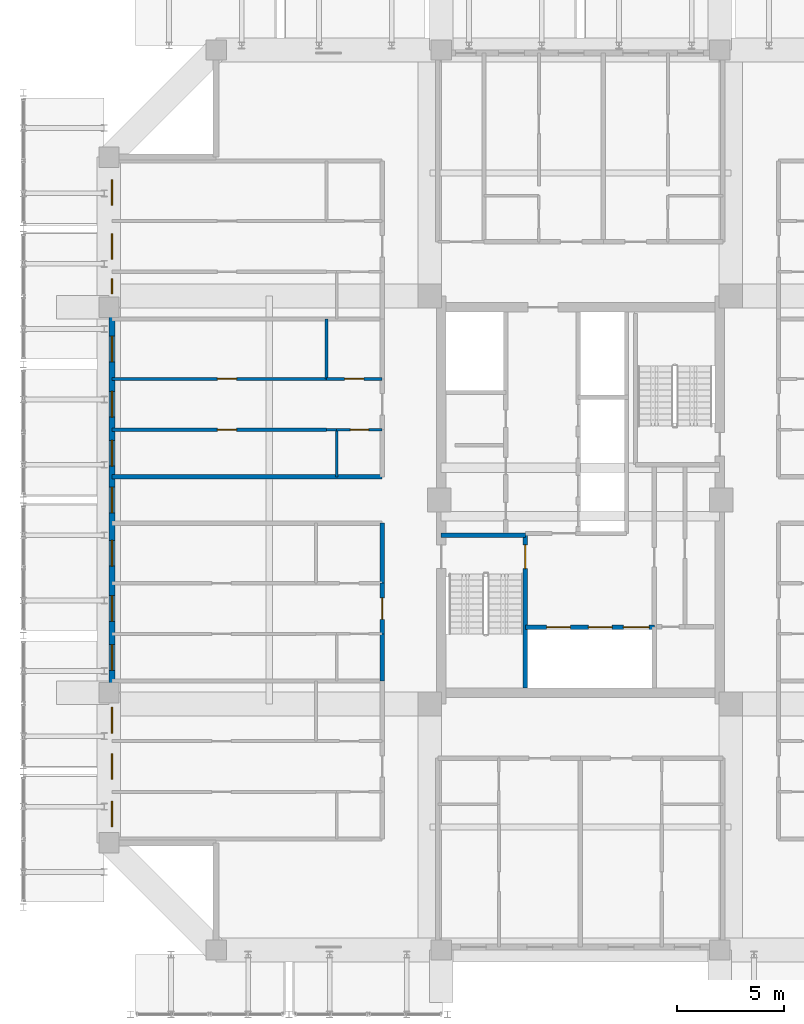
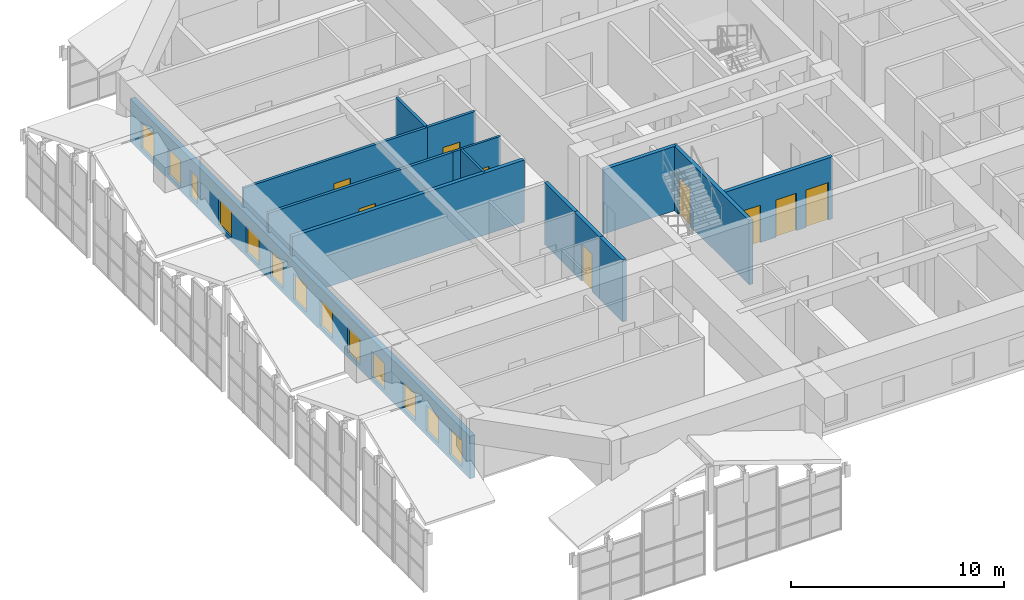
# One storey, part 38 of 45: 15 walls, 13 windows, 9 doors, 22 openings.
"""IFC4 building model written with IfcOpenShell, lengths in metres."""

from ifc_helpers import new_model, si_unit, direction, frame, frame_2d, origin, place, context, subcontext, project, spatial, rectangle, extrude, source, transform, mapped, material, layer, layer_set, type_object, element, fill, save


model = new_model("IFC4")

# Units and contexts
model_context = context("Model", 3, precision=1e-05, world=origin(), true_north=direction((0.0, 1.0)))
body_context = subcontext(model_context, "Body", "Model", "MODEL_VIEW")
ifc_project = project(units=[si_unit("LENGTHUNIT", "METRE"), si_unit("AREAUNIT", "SQUARE_METRE"), si_unit("VOLUMEUNIT", "CUBIC_METRE"), si_unit("PLANEANGLEUNIT", "RADIAN"), si_unit("MASSUNIT", "GRAM", prefix="KILO")], contexts=[model_context])

# Site, building, storey
site_placement = place(None, origin())
site = spatial("IfcSite", under=ifc_project, at=site_placement, CompositionType="ELEMENT")
building_placement = place(site_placement, origin())
building = spatial("IfcBuilding", under=site, at=building_placement, Name="Saelheon Loggia Tower", CompositionType="ELEMENT")
storey_placement = place(building_placement, frame((0.0, 0.0, 152.199951171875)))
storey = spatial("IfcBuildingStorey", under=building, at=storey_placement, Name="L48", CompositionType="ELEMENT", Elevation=152.199951171875)

# Wall, openings, windows
ifc_material_1 = material(Name="Architectural Precast Concrete C40/50", Category="concrete")
ifc_layer_1 = layer(ifc_material_1, 0.280029296875)
ifc_layer_set_1 = layer_set([ifc_layer_1], Name="Architectural Precast Concrete C40/50")
wall_type_1 = type_object("IfcWallType", Name="Wall_Ext_Loggia_280", PredefinedType="SOLIDWALL", material=ifc_layer_set_1)
wall_1_placement = place(storey_placement, frame((16.139892578125, 11.0, 0.0), z_axis=(0.0, 0.0, 1.0), x_axis=(0.0, 1.0, 0.0)))
wall_1 = element("IfcWall", 1, at=wall_1_placement, inside=storey, type_object=wall_type_1, Name="L48 West Loggia Inner Wall", PredefinedType="SOLIDWALL", context=body_context, shape_type="SweptSolid", body=[
    extrude(rectangle(XDim=32.0, YDim=0.280029296875, at=frame_2d((16.0, 0.0))), origin(), (0.0, 0.0, 1.0), 2.43994140625),
])
opening_1_placement = place(wall_1_placement, frame((0.74755859375, 0.0, 0.25)))
opening_1 = element("IfcOpeningElement", 2, at=opening_1_placement, cuts=wall_1, Name="Opening WN-03", PredefinedType="OPENING", context=body_context, shape_type="SweptSolid", body=[
    extrude(rectangle(XDim=1.199951171875, YDim=1.5, at=frame_2d((0.60009765625, 0.75))), frame((0.0, 0.152099609375, 0.0), z_axis=(0.0, -1.0, 0.0), x_axis=(1.0, 0.0, 0.0)), (0.0, 0.0, 1.0), 0.303955078125),
])
opening_2_placement = place(wall_1_placement, frame((2.964599609375, 0.0, 0.25)))
opening_2 = element("IfcOpeningElement", 3, at=opening_2_placement, cuts=wall_1, Name="Opening WN-03", PredefinedType="OPENING", context=body_context, shape_type="SweptSolid", body=[
    extrude(rectangle(XDim=1.199951171875, YDim=1.5, at=frame_2d((0.60009765625, 0.75))), frame((0.0, 0.152099609375, 0.0), z_axis=(0.0, -1.0, 0.0), x_axis=(1.0, 0.0, 0.0)), (0.0, 0.0, 1.0), 0.303955078125),
])
opening_3_placement = place(wall_1_placement, frame((5.1171875, 0.0, 0.25)))
opening_3 = element("IfcOpeningElement", 4, at=opening_3_placement, cuts=wall_1, Name="Opening WN-03", PredefinedType="OPENING", context=body_context, shape_type="SweptSolid", body=[
    extrude(rectangle(XDim=1.199951171875, YDim=1.5, at=frame_2d((0.60009765625, 0.75))), frame((0.0, 0.152099609375, 0.0), z_axis=(0.0, -1.0, 0.0), x_axis=(1.0, 0.0, 0.0)), (0.0, 0.0, 1.0), 0.303955078125),
])
opening_4_placement = place(wall_1_placement, frame((8.050048828125, 0.0, 0.25)))
opening_4 = element("IfcOpeningElement", 5, at=opening_4_placement, cuts=wall_1, Name="Opening WN-03", PredefinedType="OPENING", context=body_context, shape_type="SweptSolid", body=[
    extrude(rectangle(XDim=1.199951171875, YDim=1.5, at=frame_2d((0.60009765625, 0.75))), frame((0.0, 0.152099609375, 0.0), z_axis=(0.0, -1.0, 0.0), x_axis=(1.0, 0.0, 0.0)), (0.0, 0.0, 1.0), 0.303955078125),
])
opening_5_placement = place(wall_1_placement, frame((10.334716796875, 0.0, 0.25)))
opening_5 = element("IfcOpeningElement", 6, at=opening_5_placement, cuts=wall_1, Name="Opening WN-03", PredefinedType="OPENING", context=body_context, shape_type="SweptSolid", body=[
    extrude(rectangle(XDim=1.199951171875, YDim=1.5, at=frame_2d((0.60009765625, 0.75))), frame((0.0, 0.152099609375, 0.0), z_axis=(0.0, -1.0, 0.0), x_axis=(1.0, 0.0, 0.0)), (0.0, 0.0, 1.0), 0.303955078125),
])
opening_6_placement = place(wall_1_placement, frame((12.919677734375, 0.0, 0.25)))
opening_6 = element("IfcOpeningElement", 7, at=opening_6_placement, cuts=wall_1, Name="Opening WN-03", PredefinedType="OPENING", context=body_context, shape_type="SweptSolid", body=[
    extrude(rectangle(XDim=1.199951171875, YDim=1.5, at=frame_2d((0.60009765625, 0.75))), frame((0.0, 0.152099609375, 0.0), z_axis=(0.0, -1.0, 0.0), x_axis=(1.0, 0.0, 0.0)), (0.0, 0.0, 1.0), 0.303955078125),
])
opening_7_placement = place(wall_1_placement, frame((15.39990234375, 0.0, 0.25)))
opening_7 = element("IfcOpeningElement", 8, at=opening_7_placement, cuts=wall_1, Name="Opening WN-03", PredefinedType="OPENING", context=body_context, shape_type="SweptSolid", body=[
    extrude(rectangle(XDim=1.199951171875, YDim=1.5, at=frame_2d((0.60009765625, 0.75))), frame((0.0, 0.152099609375, 0.0), z_axis=(0.0, -1.0, 0.0), x_axis=(1.0, 0.0, 0.0)), (0.0, 0.0, 1.0), 0.303955078125),
])
opening_8_placement = place(wall_1_placement, frame((17.580078125, 0.0, 0.25)))
opening_8 = element("IfcOpeningElement", 9, at=opening_8_placement, cuts=wall_1, Name="Opening WN-03", PredefinedType="OPENING", context=body_context, shape_type="SweptSolid", body=[
    extrude(rectangle(XDim=1.199951171875, YDim=1.5, at=frame_2d((0.60009765625, 0.75))), frame((0.0, 0.152099609375, 0.0), z_axis=(0.0, -1.0, 0.0), x_axis=(1.0, 0.0, 0.0)), (0.0, 0.0, 1.0), 0.303955078125),
])
opening_9_placement = place(wall_1_placement, frame((19.86474609375, 0.0, 0.25)))
opening_9 = element("IfcOpeningElement", 10, at=opening_9_placement, cuts=wall_1, Name="Opening WN-03", PredefinedType="OPENING", context=body_context, shape_type="SweptSolid", body=[
    extrude(rectangle(XDim=1.199951171875, YDim=1.5, at=frame_2d((0.60009765625, 0.75))), frame((0.0, 0.152099609375, 0.0), z_axis=(0.0, -1.0, 0.0), x_axis=(1.0, 0.0, 0.0)), (0.0, 0.0, 1.0), 0.303955078125),
])
opening_10_placement = place(wall_1_placement, frame((22.44970703125, 0.0, 0.25)))
opening_10 = element("IfcOpeningElement", 11, at=opening_10_placement, cuts=wall_1, Name="Opening WN-03", PredefinedType="OPENING", context=body_context, shape_type="SweptSolid", body=[
    extrude(rectangle(XDim=1.199951171875, YDim=1.5, at=frame_2d((0.60009765625, 0.75))), frame((0.0, 0.152099609375, 0.0), z_axis=(0.0, -1.0, 0.0), x_axis=(1.0, 0.0, 0.0)), (0.0, 0.0, 1.0), 0.303955078125),
])
opening_11_placement = place(wall_1_placement, frame((25.632568359375, 0.0, 0.25)))
opening_11 = element("IfcOpeningElement", 12, at=opening_11_placement, cuts=wall_1, Name="Opening WN-06", PredefinedType="OPENING", context=body_context, shape_type="SweptSolid", body=[
    extrude(rectangle(XDim=0.699951171875, YDim=1.5, at=frame_2d((0.35009765625, 0.75))), frame((0.0, 0.152099609375, 0.0), z_axis=(0.0, -1.0, 0.0), x_axis=(1.0, 0.0, 0.0)), (0.0, 0.0, 1.0), 0.303955078125),
])
opening_12_placement = place(wall_1_placement, frame((27.234619140625, 0.0, 0.25)))
opening_12 = element("IfcOpeningElement", 13, at=opening_12_placement, cuts=wall_1, Name="Opening WN-03", PredefinedType="OPENING", context=body_context, shape_type="SweptSolid", body=[
    extrude(rectangle(XDim=1.199951171875, YDim=1.5, at=frame_2d((0.60009765625, 0.75))), frame((0.0, 0.152099609375, 0.0), z_axis=(0.0, -1.0, 0.0), x_axis=(1.0, 0.0, 0.0)), (0.0, 0.0, 1.0), 0.303955078125),
])
opening_13_placement = place(wall_1_placement, frame((29.752197265625, 0.0, 0.25)))
opening_13 = element("IfcOpeningElement", 14, at=opening_13_placement, cuts=wall_1, Name="Opening WN-03", PredefinedType="OPENING", context=body_context, shape_type="SweptSolid", body=[
    extrude(rectangle(XDim=1.199951171875, YDim=1.5, at=frame_2d((0.60009765625, 0.75))), frame((0.0, 0.152099609375, 0.0), z_axis=(0.0, -1.0, 0.0), x_axis=(1.0, 0.0, 0.0)), (0.0, 0.0, 1.0), 0.303955078125),
])
ifc_material_2 = material(Name="Thermal-Break Aluminium and Triple Low-E Glass", Category="aluminium")
window_type_1 = type_object("IfcWindowType", Name="Win_Slot_700x1500", PartitioningType="SINGLE_PANEL", PredefinedType="WINDOW", material=ifc_material_2)
shared_shape_1 = source(origin(), body_context, "Body", "SweptSolid", [
    extrude(rectangle(XDim=0.699951171875, YDim=1.5, at=frame_2d((0.35009765625, 0.75))), frame((0.0, 0.030029296875, 0.0), z_axis=(0.0, -1.0, 0.0), x_axis=(1.0, 0.0, 0.0)), (0.0, 0.0, 1.0), 0.06005859375),
])
window_1_placement = place(opening_11_placement, origin())
window_1 = element("IfcWindow", 15, at=window_1_placement, inside=storey, type_object=window_type_1, Name="L48 W Dwelling Window 11", OverallHeight=1.5, OverallWidth=0.699951171875, PartitioningType="SINGLE_PANEL", PredefinedType="WINDOW", context=body_context, shape_type="MappedRepresentation", body=[
    mapped(shared_shape_1, transform((0.0, 0.0, 0.0), scale=1.0)),
])
fill(opening_11, window_1)
window_type_2 = type_object("IfcWindowType", Name="Win_Bedroom_1200x1500", PartitioningType="SINGLE_PANEL", PredefinedType="WINDOW", material=ifc_material_2)
shared_shape_2 = source(origin(), body_context, "Body", "SweptSolid", [
    extrude(rectangle(XDim=1.199951171875, YDim=1.5, at=frame_2d((0.60009765625, 0.75))), frame((0.0, 0.030029296875, 0.0), z_axis=(0.0, -1.0, 0.0), x_axis=(1.0, 0.0, 0.0)), (0.0, 0.0, 1.0), 0.06005859375),
])
window_2_placement = place(opening_1_placement, origin())
window_2 = element("IfcWindow", 16, at=window_2_placement, inside=storey, type_object=window_type_2, Name="L48 W Dwelling Window 1", OverallHeight=1.5, OverallWidth=1.199951171875, PartitioningType="SINGLE_PANEL", PredefinedType="WINDOW", context=body_context, shape_type="MappedRepresentation", body=[
    mapped(shared_shape_2, transform((0.0, 0.0, 0.0), scale=1.0)),
])
fill(opening_1, window_2)
window_3_placement = place(opening_2_placement, origin())
window_3 = element("IfcWindow", 17, at=window_3_placement, inside=storey, type_object=window_type_2, Name="L48 W Dwelling Window 2", OverallHeight=1.5, OverallWidth=1.199951171875, PartitioningType="SINGLE_PANEL", PredefinedType="WINDOW", context=body_context, shape_type="MappedRepresentation", body=[
    mapped(shared_shape_2, transform((0.0, 0.0, 0.0), scale=1.0)),
])
fill(opening_2, window_3)
window_4_placement = place(opening_3_placement, origin())
window_4 = element("IfcWindow", 18, at=window_4_placement, inside=storey, type_object=window_type_2, Name="L48 W Dwelling Window 3", OverallHeight=1.5, OverallWidth=1.199951171875, PartitioningType="SINGLE_PANEL", PredefinedType="WINDOW", context=body_context, shape_type="MappedRepresentation", body=[
    mapped(shared_shape_2, transform((0.0, 0.0, 0.0), scale=1.0)),
])
fill(opening_3, window_4)
window_5_placement = place(opening_4_placement, origin())
window_5 = element("IfcWindow", 19, at=window_5_placement, inside=storey, type_object=window_type_2, Name="L48 W Dwelling Window 4", OverallHeight=1.5, OverallWidth=1.199951171875, PartitioningType="SINGLE_PANEL", PredefinedType="WINDOW", context=body_context, shape_type="MappedRepresentation", body=[
    mapped(shared_shape_2, transform((0.0, 0.0, 0.0), scale=1.0)),
])
fill(opening_4, window_5)
window_6_placement = place(opening_5_placement, origin())
window_6 = element("IfcWindow", 20, at=window_6_placement, inside=storey, type_object=window_type_2, Name="L48 W Dwelling Window 5", OverallHeight=1.5, OverallWidth=1.199951171875, PartitioningType="SINGLE_PANEL", PredefinedType="WINDOW", context=body_context, shape_type="MappedRepresentation", body=[
    mapped(shared_shape_2, transform((0.0, 0.0, 0.0), scale=1.0)),
])
fill(opening_5, window_6)
window_7_placement = place(opening_6_placement, origin())
window_7 = element("IfcWindow", 21, at=window_7_placement, inside=storey, type_object=window_type_2, Name="L48 W Dwelling Window 6", OverallHeight=1.5, OverallWidth=1.199951171875, PartitioningType="SINGLE_PANEL", PredefinedType="WINDOW", context=body_context, shape_type="MappedRepresentation", body=[
    mapped(shared_shape_2, transform((0.0, 0.0, 0.0), scale=1.0)),
])
fill(opening_6, window_7)
window_8_placement = place(opening_7_placement, origin())
window_8 = element("IfcWindow", 22, at=window_8_placement, inside=storey, type_object=window_type_2, Name="L48 W Dwelling Window 7", OverallHeight=1.5, OverallWidth=1.199951171875, PartitioningType="SINGLE_PANEL", PredefinedType="WINDOW", context=body_context, shape_type="MappedRepresentation", body=[
    mapped(shared_shape_2, transform((0.0, 0.0, 0.0), scale=1.0)),
])
fill(opening_7, window_8)
window_9_placement = place(opening_8_placement, origin())
window_9 = element("IfcWindow", 23, at=window_9_placement, inside=storey, type_object=window_type_2, Name="L48 W Dwelling Window 8", OverallHeight=1.5, OverallWidth=1.199951171875, PartitioningType="SINGLE_PANEL", PredefinedType="WINDOW", context=body_context, shape_type="MappedRepresentation", body=[
    mapped(shared_shape_2, transform((0.0, 0.0, 0.0), scale=1.0)),
])
fill(opening_8, window_9)
window_10_placement = place(opening_9_placement, origin())
window_10 = element("IfcWindow", 24, at=window_10_placement, inside=storey, type_object=window_type_2, Name="L48 W Dwelling Window 9", OverallHeight=1.5, OverallWidth=1.199951171875, PartitioningType="SINGLE_PANEL", PredefinedType="WINDOW", context=body_context, shape_type="MappedRepresentation", body=[
    mapped(shared_shape_2, transform((0.0, 0.0, 0.0), scale=1.0)),
])
fill(opening_9, window_10)
window_11_placement = place(opening_10_placement, origin())
window_11 = element("IfcWindow", 25, at=window_11_placement, inside=storey, type_object=window_type_2, Name="L48 W Dwelling Window 10", OverallHeight=1.5, OverallWidth=1.199951171875, PartitioningType="SINGLE_PANEL", PredefinedType="WINDOW", context=body_context, shape_type="MappedRepresentation", body=[
    mapped(shared_shape_2, transform((0.0, 0.0, 0.0), scale=1.0)),
])
fill(opening_10, window_11)
window_12_placement = place(opening_12_placement, origin())
window_12 = element("IfcWindow", 26, at=window_12_placement, inside=storey, type_object=window_type_2, Name="L48 W Dwelling Window 12", OverallHeight=1.5, OverallWidth=1.199951171875, PartitioningType="SINGLE_PANEL", PredefinedType="WINDOW", context=body_context, shape_type="MappedRepresentation", body=[
    mapped(shared_shape_2, transform((0.0, 0.0, 0.0), scale=1.0)),
])
fill(opening_12, window_12)
window_13_placement = place(opening_13_placement, origin())
window_13 = element("IfcWindow", 27, at=window_13_placement, inside=storey, type_object=window_type_2, Name="L48 W Dwelling Window 13", OverallHeight=1.5, OverallWidth=1.199951171875, PartitioningType="SINGLE_PANEL", PredefinedType="WINDOW", context=body_context, shape_type="MappedRepresentation", body=[
    mapped(shared_shape_2, transform((0.0, 0.0, 0.0), scale=1.0)),
])
fill(opening_13, window_13)

# Wall
ifc_material_3 = material(Name="Lightweight Autoclaved Aerated Concrete Block and Acoustic Gypsum", Category="concrete")
ifc_layer_2 = layer(ifc_material_3, 0.14990234375)
ifc_layer_set_2 = layer_set([ifc_layer_2], Name="Lightweight Autoclaved Aerated Concrete Block and Acoustic Gypsum")
wall_type_2 = type_object("IfcWallType", Name="Wall_Part_150", PredefinedType="PARTITIONING", material=ifc_layer_set_2)
wall_2_placement = place(storey_placement, frame((26.14990234375, 32.6494140625, 0.0), z_axis=(0.0, 0.0, 1.0), x_axis=(0.0, 1.0, 0.0)))
element("IfcWall", 28, at=wall_2_placement, inside=storey, type_object=wall_type_2, Name="L48 WN Partition V07", PredefinedType="PARTITIONING", context=body_context, shape_type="SweptSolid", body=[
    extrude(rectangle(XDim=2.800537109375, YDim=0.14990234375, at=frame_2d((1.400390625, 0.0))), origin(), (0.0, 0.0, 1.0), 3.56005859375),
])

# Wall, opening, door
wall_3_placement = place(storey_placement, frame((26.14990234375, 30.280029296875, 0.0), z_axis=(0.0, 0.0, 1.0), x_axis=(-1.0, 0.0, 0.0)))
wall_3 = element("IfcWall", 29, at=wall_3_placement, inside=storey, type_object=wall_type_2, Name="L48 WN Partition U10", PredefinedType="PARTITIONING", context=body_context, shape_type="SweptSolid", body=[
    extrude(rectangle(XDim=10.0, YDim=0.14990234375, at=frame_2d((5.0, 0.0))), origin(), (0.0, 0.0, 1.0), 3.56005859375),
])
opening_14_placement = place(wall_3_placement, frame((4.19091796875, 0.0, 0.0)))
opening_14 = element("IfcOpeningElement", 30, at=opening_14_placement, cuts=wall_3, Name="Opening D-IN2", PredefinedType="OPENING", context=body_context, shape_type="SweptSolid", body=[
    extrude(rectangle(XDim=0.89990234375, YDim=2.10009765625, at=frame_2d((0.449951171875, 1.050048828125))), frame((0.0, 0.0869140625, 0.0), z_axis=(0.0, -1.0, 0.0), x_axis=(1.0, 0.0, 0.0)), (0.0, 0.0, 1.0), 0.173828125),
])
ifc_material_4 = material(Name="Engineered Oak Flush Door", Category="timber")
door_type_1 = type_object("IfcDoorType", Name="Door_Int_900", OperationType="NOTDEFINED", PredefinedType="DOOR", material=ifc_material_4)
shared_shape_3 = source(origin(), body_context, "Body", "SweptSolid", [
    extrude(rectangle(XDim=0.89990234375, YDim=2.10009765625, at=frame_2d((0.449951171875, 1.050048828125))), frame((0.0, 0.02490234375, 0.0), z_axis=(0.0, -1.0, 0.0), x_axis=(1.0, 0.0, 0.0)), (0.0, 0.0, 1.0), 0.050048828125),
])
door_1_placement = place(opening_14_placement, origin())
door_1 = element("IfcDoor", 31, at=door_1_placement, inside=storey, type_object=door_type_1, Name="Unit U07 Kitchen Door", OperationType="SINGLE_SWING_RIGHT", OverallHeight=2.10009765625, OverallWidth=0.89990234375, PredefinedType="DOOR", context=body_context, shape_type="MappedRepresentation", body=[
    mapped(shared_shape_3, transform((0.0, 0.0, 0.0), scale=1.0)),
])
fill(opening_14, door_1)

wall_4_placement = place(storey_placement, frame((28.75, 32.6494140625, 0.0), z_axis=(0.0, 0.0, 1.0), x_axis=(-1.0, 0.0, 0.0)))
wall_4 = element("IfcWall", 32, at=wall_4_placement, inside=storey, type_object=wall_type_2, Name="L48 WN Partition U11", PredefinedType="PARTITIONING", context=body_context, shape_type="SweptSolid", body=[
    extrude(rectangle(XDim=2.60009765625, YDim=0.14990234375, at=frame_2d((1.300048828125, 0.0))), origin(), (0.0, 0.0, 1.0), 3.56005859375),
])
opening_15_placement = place(wall_4_placement, frame((0.85009765625, 0.0, 0.0)))
opening_15 = element("IfcOpeningElement", 33, at=opening_15_placement, cuts=wall_4, Name="Opening D-IN2", PredefinedType="OPENING", context=body_context, shape_type="SweptSolid", body=[
    extrude(rectangle(XDim=0.89990234375, YDim=2.10009765625, at=frame_2d((0.449951171875, 1.050048828125))), frame((0.0, 0.0869140625, 0.0), z_axis=(0.0, -1.0, 0.0), x_axis=(1.0, 0.0, 0.0)), (0.0, 0.0, 1.0), 0.173828125),
])
door_2_placement = place(opening_15_placement, origin())
door_2 = element("IfcDoor", 34, at=door_2_placement, inside=storey, type_object=door_type_1, Name="Unit U07 Dressing Closet Door", OperationType="SINGLE_SWING_LEFT", OverallHeight=2.10009765625, OverallWidth=0.89990234375, PredefinedType="DOOR", context=body_context, shape_type="MappedRepresentation", body=[
    mapped(shared_shape_3, transform((0.0, 0.0, 0.0), scale=1.0)),
])
fill(opening_15, door_2)

wall_5_placement = place(storey_placement, frame((26.14990234375, 32.6494140625, 0.0), z_axis=(0.0, 0.0, 1.0), x_axis=(-1.0, 0.0, 0.0)))
wall_5 = element("IfcWall", 35, at=wall_5_placement, inside=storey, type_object=wall_type_2, Name="L48 WN Partition U12", PredefinedType="PARTITIONING", context=body_context, shape_type="SweptSolid", body=[
    extrude(rectangle(XDim=10.0, YDim=0.14990234375, at=frame_2d((5.0, 0.0))), origin(), (0.0, 0.0, 1.0), 3.56005859375),
])
opening_16_placement = place(wall_5_placement, frame((4.19091796875, 0.0, 0.0)))
opening_16 = element("IfcOpeningElement", 36, at=opening_16_placement, cuts=wall_5, Name="Opening D-IN2", PredefinedType="OPENING", context=body_context, shape_type="SweptSolid", body=[
    extrude(rectangle(XDim=0.89990234375, YDim=2.10009765625, at=frame_2d((0.449951171875, 1.050048828125))), frame((0.0, 0.0869140625, 0.0), z_axis=(0.0, -1.0, 0.0), x_axis=(1.0, 0.0, 0.0)), (0.0, 0.0, 1.0), 0.173828125),
])
door_3_placement = place(opening_16_placement, origin())
door_3 = element("IfcDoor", 37, at=door_3_placement, inside=storey, type_object=door_type_1, Name="Unit U07 Bedroom 1 Door", OperationType="SINGLE_SWING_RIGHT", OverallHeight=2.10009765625, OverallWidth=0.89990234375, PredefinedType="DOOR", context=body_context, shape_type="MappedRepresentation", body=[
    mapped(shared_shape_3, transform((0.0, 0.0, 0.0), scale=1.0)),
])
fill(opening_16, door_3)

# Wall
ifc_material_5 = material(Name="Double Acoustic Stud and Fireboard Partition", Category="gypsum")
ifc_layer_3 = layer(ifc_material_5, 0.199951171875)
ifc_layer_set_3 = layer_set([ifc_layer_3], Name="Double Acoustic Stud and Fireboard Partition")
wall_type_3 = type_object("IfcWallType", Name="Wall_Party_200", PredefinedType="PARTITIONING", material=ifc_layer_set_3)
wall_6_placement = place(storey_placement, frame((28.75, 18.550048828125, 0.0), z_axis=(0.0, 0.0, 1.0), x_axis=(0.0, 1.0, 0.0)))
element("IfcWall", 38, at=wall_6_placement, inside=storey, type_object=wall_type_3, Name="L48 WS Partition V14", PredefinedType="PARTITIONING", context=body_context, shape_type="SweptSolid", body=[
    extrude(rectangle(XDim=2.199951171875, YDim=0.199951171875, at=frame_2d((1.10009765625, 0.0))), origin(), (0.0, 0.0, 1.0), 3.56005859375),
])

# Wall, opening, door
wall_7_placement = place(storey_placement, frame((28.75, 20.75, 0.0), z_axis=(0.0, 0.0, 1.0), x_axis=(0.0, 1.0, 0.0)))
wall_7 = element("IfcWall", 39, at=wall_7_placement, inside=storey, type_object=wall_type_3, Name="L48 WS Partition V15", PredefinedType="PARTITIONING", context=body_context, shape_type="SweptSolid", body=[
    extrude(rectangle(XDim=2.369384765625, YDim=0.199951171875, at=frame_2d((1.1845703125, 0.0))), origin(), (0.0, 0.0, 1.0), 3.56005859375),
])
opening_17_placement = place(wall_7_placement, frame((0.684814453125, 0.0, 0.0)))
opening_17 = element("IfcOpeningElement", 40, at=opening_17_placement, cuts=wall_7, Name="Opening D-FD1", PredefinedType="OPENING", context=body_context, shape_type="SweptSolid", body=[
    extrude(rectangle(XDim=1.0, YDim=2.14990234375, at=frame_2d((0.5, 1.074951171875))), frame((0.0, 0.112060546875, 0.0), z_axis=(0.0, -1.0, 0.0), x_axis=(1.0, 0.0, 0.0)), (0.0, 0.0, 1.0), 0.223876953125),
])
ifc_material_6 = material(Name="Fire-Rated Engineered Timber Entrance Door", Category="wood")
door_type_2 = type_object("IfcDoorType", Name="Door_Flat_FD30S", OperationType="NOTDEFINED", PredefinedType="DOOR", material=ifc_material_6)
shared_shape_4 = source(origin(), body_context, "Body", "SweptSolid", [
    extrude(rectangle(XDim=1.0, YDim=2.14990234375, at=frame_2d((0.5, 1.074951171875))), frame((0.0, 0.02490234375, 0.0), z_axis=(0.0, -1.0, 0.0), x_axis=(1.0, 0.0, 0.0)), (0.0, 0.0, 1.0), 0.050048828125),
])
door_4_placement = place(opening_17_placement, origin())
door_4 = element("IfcDoor", 41, at=door_4_placement, inside=storey, type_object=door_type_2, Name="Unit U06 Entrance Door", OperationType="SINGLE_SWING_LEFT", OverallHeight=2.14990234375, OverallWidth=1.0, PredefinedType="DOOR", context=body_context, shape_type="MappedRepresentation", body=[
    mapped(shared_shape_4, transform((0.0, 0.0, 0.0), scale=1.0)),
])
fill(opening_17, door_4)

# Walls
wall_8_placement = place(storey_placement, frame((28.75, 23.119384765625, 0.0), z_axis=(0.0, 0.0, 1.0), x_axis=(0.0, 1.0, 0.0)))
element("IfcWall", 42, at=wall_8_placement, inside=storey, type_object=wall_type_3, Name="L48 WS Partition V16", PredefinedType="PARTITIONING", context=body_context, shape_type="SweptSolid", body=[
    extrude(rectangle(XDim=2.800537109375, YDim=0.199951171875, at=frame_2d((1.400390625, 0.0))), origin(), (0.0, 0.0, 1.0), 3.56005859375),
])
wall_9_placement = place(storey_placement, frame((28.75, 28.080078125, 0.0), z_axis=(0.0, 0.0, 1.0), x_axis=(-1.0, 0.0, 0.0)))
element("IfcWall", 43, at=wall_9_placement, inside=storey, type_object=wall_type_3, Name="L48 WN Partition U01", PredefinedType="PARTITIONING", context=body_context, shape_type="SweptSolid", body=[
    extrude(rectangle(XDim=12.60009765625, YDim=0.199951171875, at=frame_2d((6.300048828125, 0.0))), origin(), (0.0, 0.0, 1.0), 3.56005859375),
])

# Wall, openings, doors
ifc_material_7 = material(Name="Concrete C40/50", Category="concrete")
ifc_layer_4 = layer(ifc_material_7, 0.199951171875)
ifc_layer_set_4 = layer_set([ifc_layer_4], Name="Concrete C40/50")
wall_type_4 = type_object("IfcWallType", Name="Wall_Shaft_200", PredefinedType="PARTITIONING", material=ifc_layer_set_4)
wall_10_placement = place(storey_placement, frame((35.429931640625, 21.06005859375, 0.0), z_axis=(0.0, 0.0, 1.0), x_axis=(1.0, 0.0, 0.0)))
wall_10 = element("IfcWall", 44, at=wall_10_placement, inside=storey, type_object=wall_type_4, Name="L48 Firefighting Lift Shaft Front Wall", PredefinedType="PARTITIONING", context=body_context, shape_type="SweptSolid", body=[
    extrude(rectangle(XDim=6.02001953125, YDim=0.199951171875, at=frame_2d((3.010009765625, 0.0))), origin(), (0.0, 0.0, 1.0), 3.56005859375),
])
opening_18_placement = place(wall_10_placement, frame((1.0, 0.0, 0.0)))
opening_18 = element("IfcOpeningElement", 45, at=opening_18_placement, cuts=wall_10, Name="Opening LD2", PredefinedType="OPENING", context=body_context, shape_type="SweptSolid", body=[
    extrude(rectangle(XDim=1.10009765625, YDim=2.14990234375, at=frame_2d((0.550048828125, 1.074951171875))), frame((0.0, 0.112060546875, 0.0), z_axis=(0.0, -1.0, 0.0), x_axis=(1.0, 0.0, 0.0)), (0.0, 0.0, 1.0), 0.223876953125),
])
opening_19_placement = place(wall_10_placement, frame((2.949951171875, 0.0, 0.0)))
opening_19 = element("IfcOpeningElement", 46, at=opening_19_placement, cuts=wall_10, Name="Opening LD2", PredefinedType="OPENING", context=body_context, shape_type="SweptSolid", body=[
    extrude(rectangle(XDim=1.10009765625, YDim=2.14990234375, at=frame_2d((0.550048828125, 1.074951171875))), frame((0.0, 0.112060546875, 0.0), z_axis=(0.0, -1.0, 0.0), x_axis=(1.0, 0.0, 0.0)), (0.0, 0.0, 1.0), 0.223876953125),
])
opening_20_placement = place(wall_10_placement, frame((4.580078125, 0.0, 0.0)))
opening_20 = element("IfcOpeningElement", 47, at=opening_20_placement, cuts=wall_10, Name="Opening LD3", PredefinedType="OPENING", context=body_context, shape_type="SweptSolid", body=[
    extrude(rectangle(XDim=1.199951171875, YDim=2.14990234375, at=frame_2d((0.60009765625, 1.074951171875))), frame((0.0, 0.112060546875, 0.0), z_axis=(0.0, -1.0, 0.0), x_axis=(1.0, 0.0, 0.0)), (0.0, 0.0, 1.0), 0.223876953125),
])
ifc_material_8 = material(Name="Firefighting Stainless Steel 316 Landing Door", Category="steel")
door_type_3 = type_object("IfcDoorType", Name="Door_Lift_LD2", OperationType="DOUBLE_DOOR_SLIDING", PredefinedType="DOOR", material=ifc_material_8)
shared_shape_5 = source(origin(), body_context, "Body", "SweptSolid", [
    extrude(rectangle(XDim=1.10009765625, YDim=2.14990234375, at=frame_2d((0.550048828125, 1.074951171875))), frame((0.0, 0.02490234375, 0.0), z_axis=(0.0, -1.0, 0.0), x_axis=(1.0, 0.0, 0.0)), (0.0, 0.0, 1.0), 0.050048828125),
])
door_5_placement = place(opening_18_placement, origin())
door_5 = element("IfcDoor", 48, at=door_5_placement, inside=storey, type_object=door_type_3, Name="L48 FF1 Landing Door", OperationType="DOUBLE_DOOR_SLIDING", OverallHeight=2.14990234375, OverallWidth=1.10009765625, PredefinedType="DOOR", context=body_context, shape_type="MappedRepresentation", body=[
    mapped(shared_shape_5, transform((0.0, 0.0, 0.0), scale=1.0)),
])
fill(opening_18, door_5)
door_6_placement = place(opening_19_placement, origin())
door_6 = element("IfcDoor", 49, at=door_6_placement, inside=storey, type_object=door_type_3, Name="L48 FF2 Landing Door", OperationType="DOUBLE_DOOR_SLIDING", OverallHeight=2.14990234375, OverallWidth=1.10009765625, PredefinedType="DOOR", context=body_context, shape_type="MappedRepresentation", body=[
    mapped(shared_shape_5, transform((0.0, 0.0, 0.0), scale=1.0)),
])
fill(opening_19, door_6)
ifc_material_9 = material(Name="Stretcher Lift Stainless Steel 304 Landing Door", Category="steel")
door_type_4 = type_object("IfcDoorType", Name="Door_Lift_LD3", OperationType="DOUBLE_DOOR_SLIDING", PredefinedType="DOOR", material=ifc_material_9)
shared_shape_6 = source(origin(), body_context, "Body", "SweptSolid", [
    extrude(rectangle(XDim=1.199951171875, YDim=2.14990234375, at=frame_2d((0.60009765625, 1.074951171875))), frame((0.0, 0.02490234375, 0.0), z_axis=(0.0, -1.0, 0.0), x_axis=(1.0, 0.0, 0.0)), (0.0, 0.0, 1.0), 0.050048828125),
])
door_7_placement = place(opening_20_placement, origin())
door_7 = element("IfcDoor", 50, at=door_7_placement, inside=storey, type_object=door_type_4, Name="L48 SV1 Landing Door", OperationType="DOUBLE_DOOR_SLIDING", OverallHeight=2.14990234375, OverallWidth=1.199951171875, PredefinedType="DOOR", context=body_context, shape_type="MappedRepresentation", body=[
    mapped(shared_shape_6, transform((0.0, 0.0, 0.0), scale=1.0)),
])
fill(opening_20, door_7)

# Wall, opening, door
ifc_material_10 = material(Name="Concrete C45/55", Category="concrete")
ifc_layer_5 = layer(ifc_material_10, 0.199951171875)
ifc_layer_set_5 = layer_set([ifc_layer_5], Name="Concrete C45/55")
wall_type_5 = type_object("IfcWallType", Name="Wall_StairShaft_RC200", PredefinedType="SOLIDWALL", material=ifc_layer_set_5)
wall_11_placement = place(storey_placement, frame((35.429931640625, 18.219970703125, 0.0), z_axis=(0.0, 0.0, 1.0), x_axis=(0.0, 1.0, 0.0)))
wall_11 = element("IfcWall", 51, at=wall_11_placement, inside=storey, type_object=wall_type_5, Name="L48 Stair ST1 Shaft Wall", PredefinedType="SOLIDWALL", context=body_context, shape_type="SweptSolid", body=[
    extrude(rectangle(XDim=7.219970703125, YDim=0.199951171875, at=frame_2d((3.60986328125, 0.0))), origin(), (0.0, 0.0, 1.0), 3.68994140625),
])
opening_21_placement = place(wall_11_placement, frame((6.68017578125, 0.0, 0.0), z_axis=(0.0, 0.0, 1.0), x_axis=(-1.0, 0.0, 0.0)))
opening_21 = element("IfcOpeningElement", 52, at=opening_21_placement, cuts=wall_11, Name="Opening D-FD2", PredefinedType="OPENING", context=body_context, shape_type="SweptSolid", body=[
    extrude(rectangle(XDim=1.10009765625, YDim=2.14990234375, at=frame_2d((0.550048828125, 1.074951171875))), frame((0.0, 0.112060546875, 0.0), z_axis=(0.0, -1.0, 0.0), x_axis=(1.0, 0.0, 0.0)), (0.0, 0.0, 1.0), 0.223876953125),
])
ifc_material_11 = material(Name="Galvanised Steel Fire Door", Category="steel")
door_type_5 = type_object("IfcDoorType", Name="Door_Fire_FD60_1100", OperationType="NOTDEFINED", PredefinedType="DOOR", material=ifc_material_11)
door_8_placement = place(opening_21_placement, origin())
door_8 = element("IfcDoor", 53, at=door_8_placement, inside=storey, type_object=door_type_5, Name="L48 Stair ST1 Lobby Door", OperationType="SINGLE_SWING_LEFT", OverallHeight=2.14990234375, OverallWidth=1.10009765625, PredefinedType="DOOR", context=body_context, shape_type="MappedRepresentation", body=[
    mapped(shared_shape_5, transform((0.0, 0.0, 0.0), scale=1.0)),
])
fill(opening_21, door_8)

# Walls
wall_12_placement = place(storey_placement, frame((31.5, 25.35009765625, 0.0), z_axis=(0.0, 0.0, 1.0), x_axis=(1.0, 0.0, 0.0)))
element("IfcWall", 54, at=wall_12_placement, inside=storey, type_object=wall_type_5, Name="L48 Stair ST1 North Wall", PredefinedType="SOLIDWALL", context=body_context, shape_type="SweptSolid", body=[
    extrude(rectangle(XDim=3.929931640625, YDim=0.199951171875, at=frame_2d((1.96484375, 0.0))), origin(), (0.0, 0.0, 1.0), 3.68994140625),
])
ifc_material_12 = material(Name="Moisture-Resistant Cement Board Partition", Category="gypsum")
ifc_layer_6 = layer(ifc_material_12, 0.1201171875)
ifc_layer_set_6 = layer_set([ifc_layer_6], Name="Moisture-Resistant Cement Board Partition")
wall_type_6 = type_object("IfcWallType", Name="Wall_WetPart_120", PredefinedType="PARTITIONING", material=ifc_layer_set_6)
wall_13_placement = place(storey_placement, frame((26.6298828125, 28.080078125, 0.0), z_axis=(0.0, 0.0, 1.0), x_axis=(0.0, 1.0, 0.0)))
element("IfcWall", 55, at=wall_13_placement, inside=storey, type_object=wall_type_6, Name="L48 WN Partition V06", PredefinedType="PARTITIONING", context=body_context, shape_type="SweptSolid", body=[
    extrude(rectangle(XDim=2.199951171875, YDim=0.1201171875, at=frame_2d((1.10009765625, 0.0))), origin(), (0.0, 0.0, 1.0), 3.56005859375),
])

# Wall, opening, door
wall_14_placement = place(storey_placement, frame((28.75, 30.280029296875, 0.0), z_axis=(0.0, 0.0, 1.0), x_axis=(-1.0, 0.0, 0.0)))
wall_14 = element("IfcWall", 56, at=wall_14_placement, inside=storey, type_object=wall_type_6, Name="L48 WN Partition U08", PredefinedType="PARTITIONING", context=body_context, shape_type="SweptSolid", body=[
    extrude(rectangle(XDim=2.1201171875, YDim=0.1201171875, at=frame_2d((1.06005859375, 0.0))), origin(), (0.0, 0.0, 1.0), 3.56005859375),
])
opening_22_placement = place(wall_14_placement, frame((0.635009765625, 0.0, 0.0)))
opening_22 = element("IfcOpeningElement", 57, at=opening_22_placement, cuts=wall_14, Name="Opening D-BT1", PredefinedType="OPENING", context=body_context, shape_type="SweptSolid", body=[
    extrude(rectangle(XDim=0.85009765625, YDim=2.050048828125, at=frame_2d((0.425048828125, 1.02490234375))), frame((0.0, 0.072021484375, 0.0), z_axis=(0.0, -1.0, 0.0), x_axis=(1.0, 0.0, 0.0)), (0.0, 0.0, 1.0), 0.14404296875),
])
ifc_material_13 = material(Name="Moisture-Resistant Laminate Timber Door", Category="wood")
door_type_6 = type_object("IfcDoorType", Name="Door_Bath_850", OperationType="NOTDEFINED", PredefinedType="DOOR", material=ifc_material_13)
shared_shape_7 = source(origin(), body_context, "Body", "SweptSolid", [
    extrude(rectangle(XDim=0.85009765625, YDim=2.050048828125, at=frame_2d((0.425048828125, 1.02490234375))), frame((0.0, 0.02490234375, 0.0), z_axis=(0.0, -1.0, 0.0), x_axis=(1.0, 0.0, 0.0)), (0.0, 0.0, 1.0), 0.050048828125),
])
door_9_placement = place(opening_22_placement, origin())
door_9 = element("IfcDoor", 58, at=door_9_placement, inside=storey, type_object=door_type_6, Name="Unit U07 Bathroom Door", OperationType="SINGLE_SWING_LEFT", OverallHeight=2.050048828125, OverallWidth=0.85009765625, PredefinedType="DOOR", context=body_context, shape_type="MappedRepresentation", body=[
    mapped(shared_shape_7, transform((0.0, 0.0, 0.0), scale=1.0)),
])
fill(opening_22, door_9)

# Wall
wall_15_placement = place(storey_placement, frame((26.6298828125, 30.280029296875, 0.0), z_axis=(0.0, 0.0, 1.0), x_axis=(-1.0, 0.0, 0.0)))
element("IfcWall", 59, at=wall_15_placement, inside=storey, type_object=wall_type_6, Name="L48 WN Partition U09", PredefinedType="PARTITIONING", context=body_context, shape_type="SweptSolid", body=[
    extrude(rectangle(XDim=0.47998046875, YDim=0.1201171875, at=frame_2d((0.239990234375, 0.0))), origin(), (0.0, 0.0, 1.0), 3.56005859375),
])

save(model, "model.ifc")
